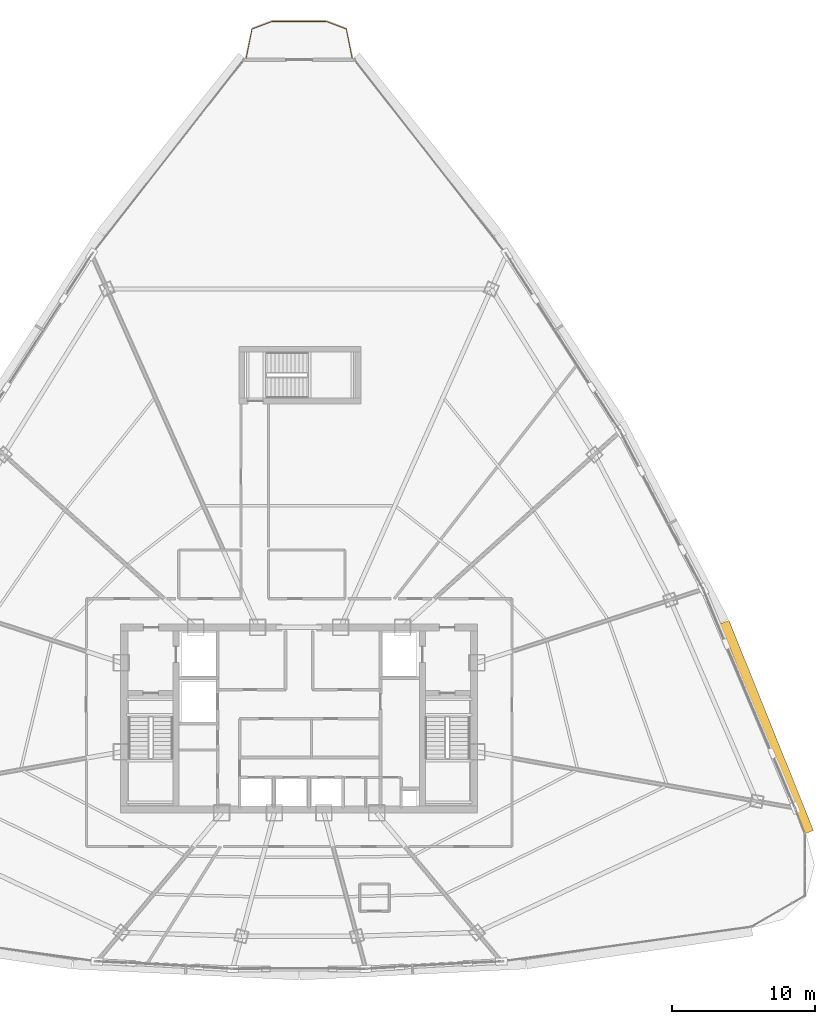
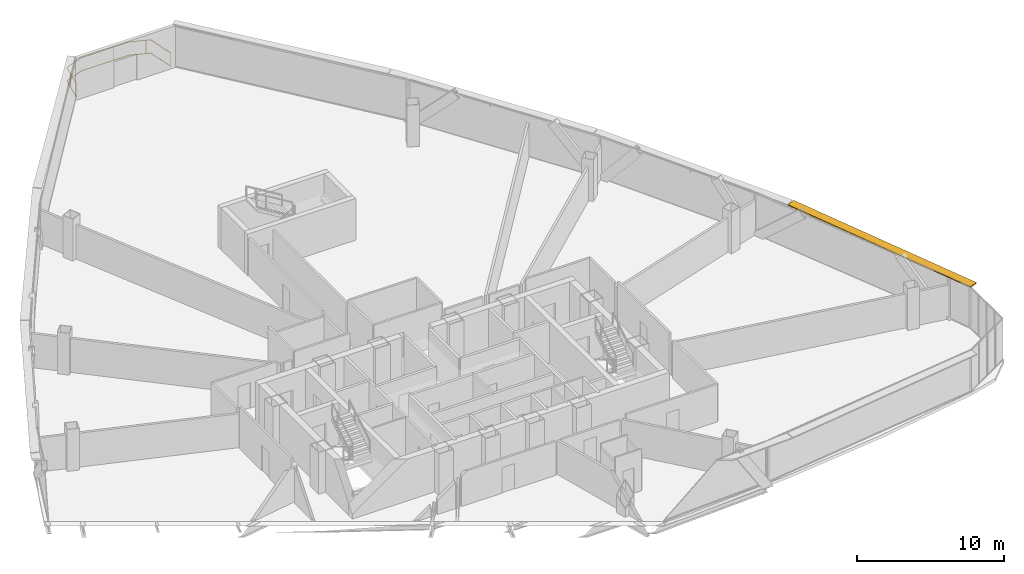
# One storey, part 37 of 37: 1 railing, 1 shading device.
"""IFC4 building model written with IfcOpenShell, lengths in metres."""

import ifcopenshell
import ifcopenshell.guid

model = None  # the IFC model being written
_history = None  # IfcOwnerHistory: only IFC2X3 demands one
_inside = {}  # id of a spatial element -> (the spatial element, [elements in it])
_under = {}  # id of a project, library or spatial element -> (it, [spatial elements below it])
_declared = {}  # id of a project -> (the project, [libraries it declares])
_typed = {}  # id of a type object -> (the type object, [elements of that type])
_made_of = {}  # id of a material, layer set ... -> (it, [elements and type objects made of it])


def new_model(schema):
    """Start an empty IFC model of exactly this schema.

    Asked for "IFC4X3", IfcOpenShell would pick the latest addendum, in which some entities
    have other attributes; the version numbers below select the first issue.
    IFC2X3 requires an IfcOwnerHistory on every rooted entity: one is made here for all.
    """
    global model, _history
    if schema == "IFC4X3":
        model = ifcopenshell.file(schema_version=(4, 3, 0, 0))
    else:
        model = ifcopenshell.file(schema=schema)
    _inside.clear()
    _under.clear()
    _declared.clear()
    _typed.clear()
    _made_of.clear()
    _history = None
    if model.schema == "IFC2X3":
        org = make("IfcOrganization", Name="unknown")
        user = make(
            "IfcPersonAndOrganization",
            ThePerson=make("IfcPerson", FamilyName="unknown"),
            TheOrganization=org,
        )
        app = make(
            "IfcApplication",
            ApplicationDeveloper=org,
            Version="unknown",
            ApplicationFullName="unknown",
            ApplicationIdentifier="unknown",
        )
        _history = make(
            "IfcOwnerHistory",
            OwningUser=user,
            OwningApplication=app,
            ChangeAction="ADDED",
            CreationDate=0,
        )
    return model


def make(cls, **values):
    """One entity of the class cls with the attributes given. An attribute that is None is left unset."""
    return model.create_entity(
        cls, **{name: value for name, value in values.items() if value is not None}
    )


def rooted(cls, **values):
    """An entity with a GlobalId (a new one), such as an element, a storey or a relation."""
    return make(cls, GlobalId=ifcopenshell.guid.new(), OwnerHistory=_history, **values)


def si_unit(unit_type, name, prefix=None):
    """IfcSIUnit, for example si_unit("LENGTHUNIT", "METRE", prefix="MILLI")."""
    return make("IfcSIUnit", UnitType=unit_type, Prefix=prefix, Name=name)


def assignment(units):
    """IfcUnitAssignment: the units of a project."""
    return None if units is None else make("IfcUnitAssignment", Units=units)


def point(xyz):
    """IfcCartesianPoint."""
    return None if xyz is None else make("IfcCartesianPoint", Coordinates=xyz)


def direction(xyz):
    """IfcDirection."""
    return None if xyz is None else make("IfcDirection", DirectionRatios=xyz)


def frame(location, z_axis=None, x_axis=None):
    """IfcAxis2Placement3D, a coordinate frame: its origin and axes. An axis left out is left unset."""
    return make(
        "IfcAxis2Placement3D",
        Location=point(location),
        Axis=direction(z_axis),
        RefDirection=direction(x_axis),
    )


def frame_2d(location, x_axis=None):
    """IfcAxis2Placement2D, a coordinate frame in the plane: its origin and x axis."""
    return make(
        "IfcAxis2Placement2D", Location=point(location), RefDirection=direction(x_axis)
    )


def origin():
    """The frame at (0, 0, 0) with its axes left unset."""
    return frame((0.0, 0.0, 0.0))


def origin_2d():
    """The frame at (0, 0) in the plane with its x axis left unset."""
    return frame_2d((0.0, 0.0))


def place(relative_to, where):
    """IfcLocalPlacement: puts the frame where relative to a parent placement (None: the world)."""
    return make(
        "IfcLocalPlacement", PlacementRelTo=relative_to, RelativePlacement=where
    )


def context(
    kind, dimensions, precision=None, world=None, true_north=None, identifier=None
):
    """IfcGeometricRepresentationContext, for example the 3D "Model" context."""
    return make(
        "IfcGeometricRepresentationContext",
        ContextIdentifier=identifier,
        ContextType=kind,
        CoordinateSpaceDimension=dimensions,
        Precision=precision,
        WorldCoordinateSystem=world,
        TrueNorth=true_north,
    )


def subcontext(parent, identifier, kind, view, scale=None):
    """IfcGeometricRepresentationSubContext, for example "Body" below "Model"."""
    return make(
        "IfcGeometricRepresentationSubContext",
        ContextIdentifier=identifier,
        ContextType=kind,
        ParentContext=parent,
        TargetScale=scale,
        TargetView=view,
    )


def project(units=None, contexts=None):
    """IfcProject with its units and contexts."""
    return rooted(
        "IfcProject",
        Name="project",
        RepresentationContexts=contexts,
        UnitsInContext=assignment(units),
    )


def spatial(cls, under=None, at=None, **own):
    """A site, building, storey or space (cls), placed at a placement, below another one or the project."""
    s = rooted(cls, ObjectPlacement=at, **own)
    if under is not None:
        _under.setdefault(under.id(), (under, []))[1].append(s)
    return s


def profile(cls, at=None, kind="AREA", **sizes):
    """A parametric profile (cls). Its sizes go by their IFC names, for example OverallWidth=200.0."""
    return make(cls, ProfileType=kind, Position=at, **sizes)


def rectangle(**sizes):
    """IfcRectangleProfileDef."""
    return profile("IfcRectangleProfileDef", **sizes)


def extrude(swept, where, along, depth):
    """IfcExtrudedAreaSolid: the profile swept, set in the frame where, extruded along a direction by depth."""
    return make(
        "IfcExtrudedAreaSolid",
        SweptArea=swept,
        Position=where,
        ExtrudedDirection=direction(along),
        Depth=depth,
    )


def shape(context_of_items, identifier, shape_type, items):
    """IfcShapeRepresentation: the items that make up one representation, for example the "Body"."""
    return make(
        "IfcShapeRepresentation",
        ContextOfItems=context_of_items,
        RepresentationIdentifier=identifier,
        RepresentationType=shape_type,
        Items=items,
    )


def source(mapping_origin, context_of_items, identifier, shape_type, items):
    """IfcRepresentationMap: a shape defined once, which mapped items show again and again."""
    return make(
        "IfcRepresentationMap",
        MappingOrigin=mapping_origin,
        MappedRepresentation=shape(context_of_items, identifier, shape_type, items),
    )


def transform(
    local_origin,
    x_axis=None,
    y_axis=None,
    z_axis=None,
    scale=None,
    scale2=None,
    scale3=None,
    uniform=True,
):
    """IfcCartesianTransformationOperator3D, or its non-uniform kind. x_axis, y_axis, z_axis: its Axis1, 2, 3."""
    if uniform:
        return make(
            "IfcCartesianTransformationOperator3D",
            Axis1=direction(x_axis),
            Axis2=direction(y_axis),
            LocalOrigin=point(local_origin),
            Scale=scale,
            Axis3=direction(z_axis),
        )
    return make(
        "IfcCartesianTransformationOperator3DnonUniform",
        Axis1=direction(x_axis),
        Axis2=direction(y_axis),
        LocalOrigin=point(local_origin),
        Scale=scale,
        Axis3=direction(z_axis),
        Scale2=scale2,
        Scale3=scale3,
    )


def mapped(mapping_source, mapping_target):
    """IfcMappedItem: shows the shape of a source again, moved by a transform."""
    return make(
        "IfcMappedItem", MappingSource=mapping_source, MappingTarget=mapping_target
    )


def material(Name=None, Category=None):
    """IfcMaterial."""
    return make("IfcMaterial", Name=Name, Category=Category)


def layer(
    of_material, thickness, ventilated=None, Name=None, Category=None, Priority=None
):
    """IfcMaterialLayer: one layer of a wall or slab, of a material (None: an air gap)."""
    return make(
        "IfcMaterialLayer",
        Material=of_material,
        LayerThickness=thickness,
        IsVentilated=ventilated,
        Name=Name,
        Category=Category,
        Priority=Priority,
    )


def layer_set(layers, Name=None):
    """IfcMaterialLayerSet."""
    return make("IfcMaterialLayerSet", MaterialLayers=layers, LayerSetName=Name)


def made_of(thing, what):
    """Note that an element or type object is made of a material, layer set ...; save() writes the relation."""
    if what is not None:
        _made_of.setdefault(what.id(), (what, []))[1].append(thing)
    return thing


def type_object(cls, material=None, **own):
    """A type object (cls), such as IfcWallType, which elements share."""
    return made_of(rooted(cls, **own), material)


def element(
    cls,
    number,
    at=None,
    inside=None,
    cuts=None,
    type_object=None,
    material=None,
    context=None,
    identifier="Body",
    shape_type=None,
    held_by="IfcProductDefinitionShape",
    body=None,
    shapes=None,
    **own,
):
    """One element of the class cls, such as IfcWall. Its Tag is "e" and its number.

    at: its placement. inside: the storey or other place that contains it. cuts: it is an
    opening in that element (IfcRelVoidsElement). A single representation is given by context,
    identifier, shape_type and body (its items); several are given by shapes. held_by: the class
    of the entity that holds the representations. save() writes the other relations.
    """
    e = rooted(cls, Tag="e%d" % number, ObjectPlacement=at, **own)
    if body is not None:
        shapes = [shape(context, identifier, shape_type, body)]
    if shapes is not None:
        e.Representation = make(held_by, Representations=shapes)
    if inside is not None:
        _inside.setdefault(inside.id(), (inside, []))[1].append(e)
    if cuts is not None:
        rooted(
            "IfcRelVoidsElement", RelatingBuildingElement=cuts, RelatedOpeningElement=e
        )
    if type_object is not None:
        _typed.setdefault(type_object.id(), (type_object, []))[1].append(e)
    return made_of(e, material)


def aggregate(whole, parts):
    """IfcRelAggregates: a whole, such as a stair, and the parts it consists of."""
    return rooted("IfcRelAggregates", RelatingObject=whole, RelatedObjects=parts)


def save(model, path):
    """Write the relations noted so far, then the file.

    IfcRelAggregates (storeys below a building ...), IfcRelContainedInSpatialStructure (elements
    in a storey), IfcRelDefinesByType, IfcRelAssociatesMaterial and IfcRelDeclares: one each for
    every whole, place, type object, material and project.
    """
    for whole, parts in _under.values():
        aggregate(whole, parts)
    for where, things in _inside.values():
        rooted(
            "IfcRelContainedInSpatialStructure",
            RelatedElements=things,
            RelatingStructure=where,
        )
    for kind, things in _typed.values():
        rooted("IfcRelDefinesByType", RelatedObjects=things, RelatingType=kind)
    for what, things in _made_of.values():
        rooted("IfcRelAssociatesMaterial", RelatedObjects=things, RelatingMaterial=what)
    for by, libraries in _declared.values():
        rooted("IfcRelDeclares", RelatingContext=by, RelatedDefinitions=libraries)
    model.write(path)


model = new_model("IFC4")

# Units and contexts
model_context = context("Model", 3, precision=1e-05, world=origin(), true_north=direction((0.0, 1.0)))
body_context = subcontext(model_context, "Body", "Model", "MODEL_VIEW")
ifc_project = project(units=[si_unit("LENGTHUNIT", "METRE"), si_unit("AREAUNIT", "SQUARE_METRE"), si_unit("VOLUMEUNIT", "CUBIC_METRE"), si_unit("PLANEANGLEUNIT", "RADIAN"), si_unit("MASSUNIT", "GRAM", prefix="KILO"), si_unit("THERMODYNAMICTEMPERATUREUNIT", "KELVIN"), si_unit("POWERUNIT", "WATT")], contexts=[model_context])

# Site, building, storey
site_placement = place(None, origin())
site = spatial("IfcSite", under=ifc_project, at=site_placement, CompositionType="ELEMENT")
building_placement = place(site_placement, origin())
building = spatial("IfcBuilding", under=site, at=building_placement, Name="Yunzhuo Pagoda Commons", CompositionType="ELEMENT")
storey_placement = place(building_placement, frame((0.0, 0.0, 240.800048828125)))
storey = spatial("IfcBuildingStorey", under=building, at=storey_placement, Name="L60", CompositionType="ELEMENT", Elevation=240.800048828125)

# Railing
ifc_material = material(Name="Anodized aluminium 6063-T6", Category="aluminium")
railing_type = type_object("IfcRailingType", Name="RL-BAL1 Exterior Terrace & Balcony Balustrade 1150", PredefinedType="BALUSTRADE", material=ifc_material)
railing_placement = place(storey_placement, frame((51.693603515625, 79.9296875, 0.0)))
element("IfcRailing", 1, at=railing_placement, inside=storey, type_object=railing_type, Name="L60 corner balcony balustrade V3", PredefinedType="BALUSTRADE", context=body_context, shape_type="SweptSolid", body=[
    extrude(rectangle(XDim=0.048095703125, YDim=0.048095703125, at=origin_2d()), frame((0.0, 0.0, 1.1259765625), z_axis=(-0.194200568098, 0.980961843983, 0.0), x_axis=(-0.980961843983, -0.194200568098, 0.0)), (0.0, 0.0, 1.0), 2.059326171875),
    extrude(rectangle(XDim=0.048095703125, YDim=0.048095703125, at=origin_2d()), frame((0.0, 0.0, 0.02392578125), z_axis=(-0.194200568098, 0.980961843983, 0.0), x_axis=(-0.980961843983, -0.194200568098, 0.0)), (0.0, 0.0, 1.0), 2.059326171875),
    extrude(rectangle(XDim=0.048095703125, YDim=0.048095703125, at=origin_2d()), frame((-0.39990234375, 2.02001953125, 1.1259765625), z_axis=(-0.93580094049, 0.352528863752, 0.0), x_axis=(-0.352528863752, -0.93580094049, 0.0)), (0.0, 0.0, 1.0), 1.50341796875),
    extrude(rectangle(XDim=0.048095703125, YDim=0.048095703125, at=origin_2d()), frame((-0.39990234375, 2.02001953125, 0.02392578125), z_axis=(-0.93580094049, 0.352528863752, 0.0), x_axis=(-0.352528863752, -0.93580094049, 0.0)), (0.0, 0.0, 1.0), 1.50341796875),
    extrude(rectangle(XDim=0.048095703125, YDim=0.048095703125, at=origin_2d()), frame((-1.806884765625, 2.550048828125, 1.1259765625), z_axis=(-1.0, 0.0, 0.0), x_axis=(0.0, -1.0, 0.0)), (0.0, 0.0, 1.0), 3.7734375),
    extrude(rectangle(XDim=0.048095703125, YDim=0.048095703125, at=origin_2d()), frame((-1.806884765625, 2.550048828125, 0.02392578125), z_axis=(-1.0, 0.0, 0.0), x_axis=(0.0, -1.0, 0.0)), (0.0, 0.0, 1.0), 3.7734375),
    extrude(rectangle(XDim=0.048095703125, YDim=0.048095703125, at=origin_2d()), frame((-5.580322265625, 2.550048828125, 1.1259765625), z_axis=(-0.93580094049, -0.352528863752, 0.0), x_axis=(0.352528863752, -0.93580094049, 0.0)), (0.0, 0.0, 1.0), 1.50341796875),
    extrude(rectangle(XDim=0.048095703125, YDim=0.048095703125, at=origin_2d()), frame((-5.580322265625, 2.550048828125, 0.02392578125), z_axis=(-0.93580094049, -0.352528863752, 0.0), x_axis=(0.352528863752, -0.93580094049, 0.0)), (0.0, 0.0, 1.0), 1.50341796875),
    extrude(rectangle(XDim=0.048095703125, YDim=0.048095703125, at=origin_2d()), frame((-6.9873046875, 2.02001953125, 1.1259765625), z_axis=(-0.194200568098, -0.980961843983, 0.0), x_axis=(0.980961843983, -0.194200568098, 0.0)), (0.0, 0.0, 1.0), 2.059326171875),
    extrude(rectangle(XDim=0.048095703125, YDim=0.048095703125, at=origin_2d()), frame((-6.9873046875, 2.02001953125, 0.02392578125), z_axis=(-0.194200568098, -0.980961843983, 0.0), x_axis=(0.980961843983, -0.194200568098, 0.0)), (0.0, 0.0, 1.0), 2.059326171875),
    extrude(rectangle(XDim=0.0419921875, YDim=0.0419921875, at=origin_2d()), origin(), (0.0, 0.0, 1.0), 1.101806640625),
    extrude(rectangle(XDim=0.0419921875, YDim=0.0419921875, at=origin_2d()), frame((-0.71875, 2.14013671875, 0.0)), (0.0, 0.0, 1.0), 1.101806640625),
    extrude(rectangle(XDim=0.0419921875, YDim=0.0419921875, at=origin_2d()), frame((-3.044189453125, 2.550048828125, 0.0)), (0.0, 0.0, 1.0), 1.101806640625),
    extrude(rectangle(XDim=0.0419921875, YDim=0.0419921875, at=origin_2d()), frame((-7.135009765625, 1.274169921875, 0.0)), (0.0, 0.0, 1.0), 1.101806640625),
    extrude(rectangle(XDim=0.0419921875, YDim=0.0419921875, at=origin_2d()), frame((-7.38720703125, 0.0, 0.0)), (0.0, 0.0, 1.0), 1.101806640625),
])

# Shading device
ifc_layer = layer(ifc_material, 0.080078125)
ifc_layer_set = layer_set([ifc_layer], Name="Anodized aluminium 6063-T6")
shading_device_type = type_object("IfcShadingDeviceType", Name="SH-SUN1 Pagoda Horizontal Sunshade Eave 650", PredefinedType="USERDEFINED", material=ifc_layer_set)
shared_shape = source(origin(), body_context, "Body", "SweptSolid", [
    extrude(rectangle(XDim=15.79638671875, YDim=0.64990234375, at=origin_2d()), origin(), (0.0, 0.0, 1.0), 0.080078125),
])
shading_device_placement = place(storey_placement, frame((80.636962890625, 33.241943359375, 3.389892578125), z_axis=(0.0, 0.0, 1.0), x_axis=(-0.372987782576, 0.927836253899, 0.0)))
element("IfcShadingDevice", 2, at=shading_device_placement, inside=storey, type_object=shading_device_type, Name="L60 horizontal pagoda sunshade eave F2.1", ObjectType="SUNSHADE", PredefinedType="USERDEFINED", context=body_context, shape_type="MappedRepresentation", body=[
    mapped(shared_shape, transform((0.0, 0.0, 0.0), scale=1.0)),
])

save(model, "model.ifc")
